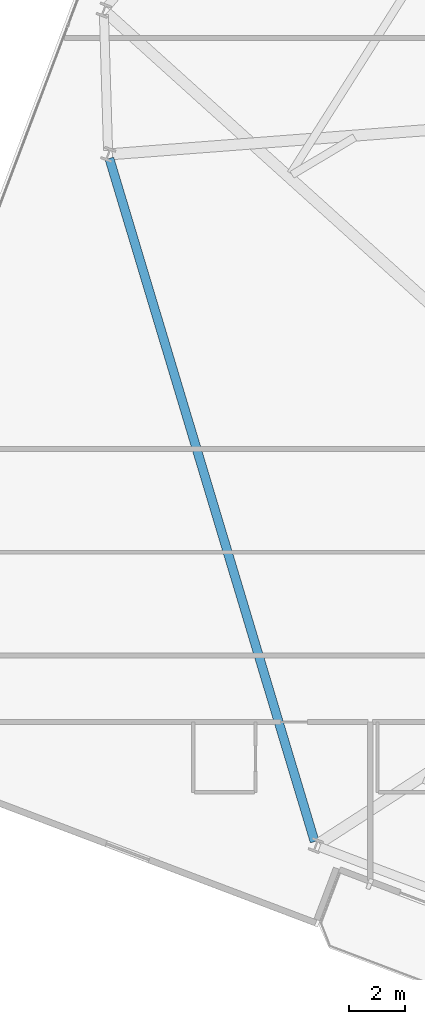
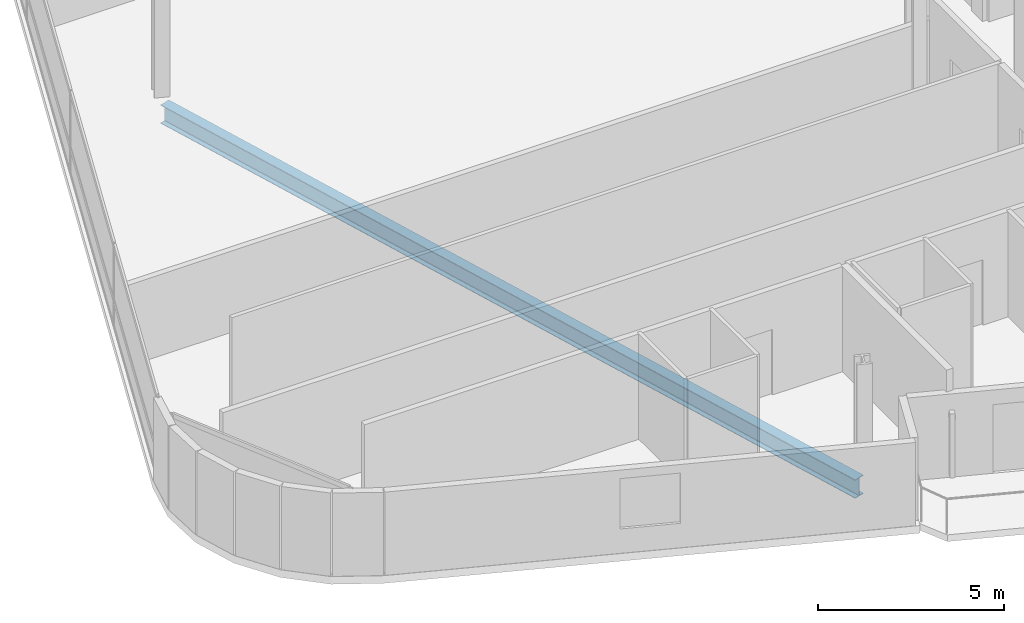
# One storey, part 5 of 25: 1 beam.
"""IFC4 building model written with IfcOpenShell, lengths in metres."""

from ifc_helpers import new_model, si_unit, direction, frame, origin, origin_2d, place, context, subcontext, project, spatial, i_section, extrude, material, material_profile, profile_set, type_object, element, save


model = new_model("IFC4")

# Units and contexts
model_context = context("Model", 3, precision=1e-05, world=origin(), true_north=direction((0.0, 1.0)))
body_context = subcontext(model_context, "Body", "Model", "MODEL_VIEW")
ifc_project = project(units=[si_unit("LENGTHUNIT", "METRE"), si_unit("AREAUNIT", "SQUARE_METRE"), si_unit("VOLUMEUNIT", "CUBIC_METRE"), si_unit("PLANEANGLEUNIT", "RADIAN"), si_unit("MASSUNIT", "GRAM", prefix="KILO")], contexts=[model_context])

# Site, building, storey
site_placement = place(None, origin())
site = spatial("IfcSite", under=ifc_project, at=site_placement, CompositionType="ELEMENT")
building_placement = place(site_placement, origin())
building = spatial("IfcBuilding", under=site, at=building_placement, Name="Varnelok Gate Tower", CompositionType="ELEMENT")
storey_placement = place(building_placement, frame((0.0, 0.0, 76.199951171875)))
storey = spatial("IfcBuildingStorey", under=building, at=storey_placement, Name="L18", CompositionType="ELEMENT", Elevation=76.199951171875)

# Beam
ifc_material = material(Name="Structural Steel ASTM A992 Grade 50", Category="steel")
ifc_material_profile = material_profile(ifc_material, i_section(OverallWidth=0.323974609375, OverallDepth=0.611083984375, WebThickness=0.0126953125, FlangeThickness=0.01904296875, FilletRadius=0.01806640625, at=origin_2d()), Name="W24X104")
ifc_profile_set = profile_set([ifc_material_profile], Name="Structural Steel ASTM A992 Grade 50")
beam_type = type_object("IfcBeamType", Name="BM-SPN-W24X104", PredefinedType="SPANDREL", material=ifc_profile_set)
beam_placement = place(storey_placement, frame((7.124267578125, 37.102294921875, -0.555419921875), z_axis=(0.287734186054, -0.957710310154, 0.0), x_axis=(0.957710310154, 0.287734186054, 0.0)))
element("IfcBeam", 1, at=beam_placement, inside=storey, type_object=beam_type, Name="L18 Perimeter Spandrel Beam 16", PredefinedType="SPANDREL", context=body_context, shape_type="SweptSolid", body=[
    extrude(i_section(OverallWidth=0.323974609375, OverallDepth=0.611083984375, WebThickness=0.0126953125, FlangeThickness=0.01904296875, FilletRadius=0.01806640625, at=origin_2d()), origin(), (0.0, 0.0, 1.0), 25.626220703125),
])

save(model, "model.ifc")
